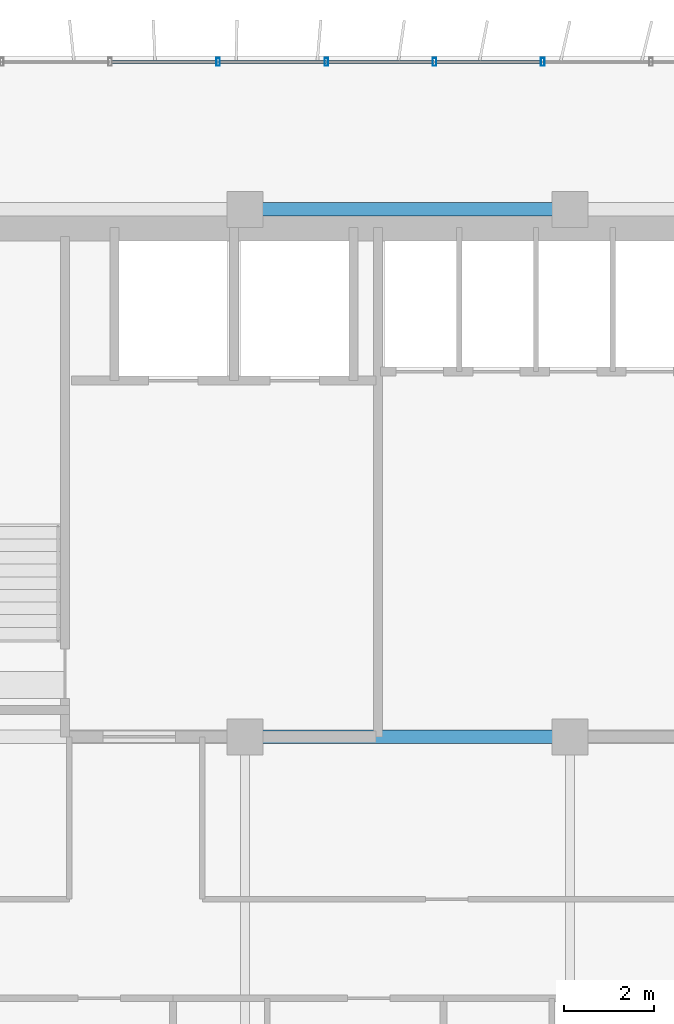
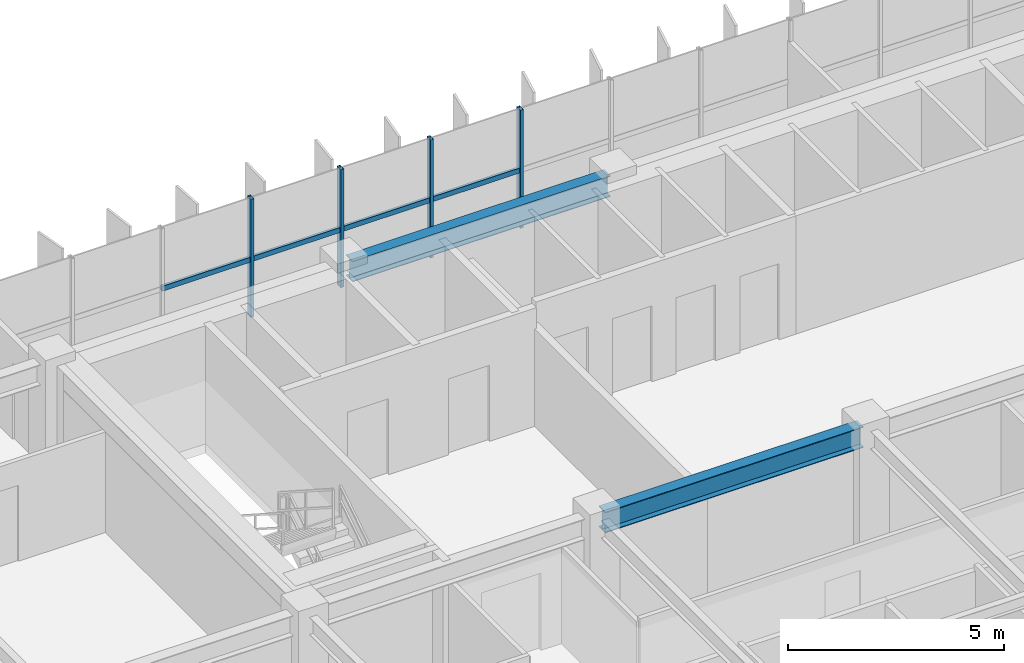
# One storey, part 6 of 22: 8 members, 2 beams, 1 element without a shape of its own.
"""IFC4 building model written with IfcOpenShell, lengths in metres."""

from ifc_helpers import new_model, si_unit, direction, frame, origin, origin_2d, place, context, subcontext, project, spatial, hollow_rectangle, i_section, extrude, source, transform, mapped, material, material_profile, profile_set, type_object, element, aggregate, save


model = new_model("IFC4")

# Units and contexts
model_context = context("Model", 3, precision=1e-05, world=origin(), true_north=direction((0.0, 1.0)))
body_context = subcontext(model_context, "Body", "Model", "MODEL_VIEW")
ifc_project = project(units=[si_unit("LENGTHUNIT", "METRE"), si_unit("AREAUNIT", "SQUARE_METRE"), si_unit("VOLUMEUNIT", "CUBIC_METRE"), si_unit("PLANEANGLEUNIT", "RADIAN"), si_unit("MASSUNIT", "GRAM", prefix="KILO")], contexts=[model_context])

# Site, building, storey
site_placement = place(None, origin())
site = spatial("IfcSite", under=ifc_project, at=site_placement, CompositionType="ELEMENT")
building_placement = place(site_placement, origin())
building = spatial("IfcBuilding", under=site, at=building_placement, Name="Trelvane Seafront Commons", CompositionType="ELEMENT")
storey_placement = place(building_placement, frame((0.0, 0.0, 114.10009765625)))
storey = spatial("IfcBuildingStorey", under=building, at=storey_placement, Name="L29", CompositionType="ELEMENT", Elevation=114.10009765625)

# Beams
ifc_material_1 = material(Name="Steel SM355 (S355)", Category="steel")
ifc_material_profile_1 = material_profile(ifc_material_1, i_section(OverallWidth=0.300048828125, OverallDepth=0.587890625, WebThickness=0.011962890625, FlangeThickness=0.02001953125, at=origin_2d()), Name="H-588x300x12x20")
ifc_profile_set_1 = profile_set([ifc_material_profile_1], Name="Steel SM355 (S355)")
beam_type = type_object("IfcBeamType", Name="STR-BM-H588", PredefinedType="BEAM", material=ifc_profile_set_1)
shared_shape_1 = source(origin(), body_context, "Body", "SweptSolid", [
    extrude(i_section(OverallWidth=0.300048828125, OverallDepth=0.587890625, WebThickness=0.011962890625, FlangeThickness=0.02001953125, at=origin_2d()), origin(), (0.0, 0.0, 1.0), 6.89990234375),
])
for number, where, z_axis, x_axis, name in (
    (1, (23.550048828125, 33.39990234375, 3.0458984375), (1.0, 0.0, 0.0), (0.0, 1.0, 0.0), "L29 Primary Girder G-22"),
    (2, (23.550048828125, 45.10009765625, 3.0458984375), (1.0, 0.0, 0.0), (0.0, 1.0, 0.0), "L29 Primary Girder G-31"),
):
    element("IfcBeam", number, at=place(storey_placement, frame(where, z_axis=z_axis, x_axis=x_axis)), inside=storey, type_object=beam_type, Name=name, PredefinedType="BEAM", context=body_context, shape_type="MappedRepresentation", body=[
        mapped(shared_shape_1, transform((0.0, 0.0, 0.0), x_axis=(1.0, 0.0, 0.0), y_axis=(0.0, 1.0, 0.0), z_axis=(0.0, 0.0, 1.0), scale=1.0)),
    ])

# Curtain wall, members
ifc_material_2 = material(Name="Anodised pale-silver aluminium", Category="aluminium")
curtain_wall_type = type_object("IfcCurtainWallType", Name="ARCH-CW4-SKYLOBBY", PredefinedType="NOTDEFINED", material=ifc_material_2)
curtain_wall_placement = place(storey_placement, origin())
curtain_wall = element("IfcCurtainWall", 3, at=curtain_wall_placement, inside=storey, type_object=curtain_wall_type, Name="CW-L29-0054", PredefinedType="NOTDEFINED")
ifc_material_profile_2 = material_profile(ifc_material_2, hollow_rectangle(XDim=0.074951171875, YDim=0.139892578125, WallThickness=0.00390625, at=origin_2d()), Name="TRAN-75x140x4")
ifc_profile_set_2 = profile_set([ifc_material_profile_2], Name="Anodised pale-silver aluminium")
member_type_1 = type_object("IfcMemberType", Name="ARCH-CW-TRAN-140", PredefinedType="USERDEFINED", material=ifc_profile_set_2)
shared_shape_2 = source(origin(), body_context, "Body", "SweptSolid", [
    extrude(hollow_rectangle(XDim=0.074951171875, YDim=0.139892578125, WallThickness=0.00390625, at=origin_2d()), origin(), (0.0, 0.0, 1.0), 2.3759765625),
])
member_1_placement = place(storey_placement, frame((20.412109375, 48.3701171875, 1.602783203125), z_axis=(1.0, 0.0, 0.0), x_axis=(0.0, 1.0, 0.0)))
member_1 = element("IfcMember", 4, at=member_1_placement, type_object=member_type_1, Name="CW-L29-0054-T02", ObjectType="TRANSOM", PredefinedType="USERDEFINED", context=body_context, shape_type="MappedRepresentation", body=[
    mapped(shared_shape_2, transform((0.0, 0.0, 0.0), x_axis=(1.0, 0.0, 0.0), y_axis=(0.0, 1.0, 0.0), z_axis=(0.0, 0.0, 1.0), scale=1.0)),
])
member_2_placement = place(storey_placement, frame((22.81201171875, 48.3701171875, 1.602783203125), z_axis=(1.0, 0.0, 0.0), x_axis=(0.0, 1.0, 0.0)))
member_2 = element("IfcMember", 5, at=member_2_placement, type_object=member_type_1, Name="CW-L29-0054-T03", ObjectType="TRANSOM", PredefinedType="USERDEFINED", context=body_context, shape_type="MappedRepresentation", body=[
    mapped(shared_shape_2, transform((0.0, 0.0, 0.0), x_axis=(1.0, 0.0, 0.0), y_axis=(0.0, 1.0, 0.0), z_axis=(0.0, 0.0, 1.0), scale=1.0)),
])
member_3_placement = place(storey_placement, frame((25.2119140625, 48.3701171875, 1.602783203125), z_axis=(1.0, 0.0, 0.0), x_axis=(0.0, 1.0, 0.0)))
member_3 = element("IfcMember", 6, at=member_3_placement, type_object=member_type_1, Name="CW-L29-0054-T04", ObjectType="TRANSOM", PredefinedType="USERDEFINED", context=body_context, shape_type="MappedRepresentation", body=[
    mapped(shared_shape_2, transform((0.0, 0.0, 0.0), x_axis=(1.0, 0.0, 0.0), y_axis=(0.0, 1.0, 0.0), z_axis=(0.0, 0.0, 1.0), scale=1.0)),
])
member_4_placement = place(storey_placement, frame((27.612060546875, 48.3701171875, 1.602783203125), z_axis=(1.0, 0.0, 0.0), x_axis=(0.0, 1.0, 0.0)))
member_4 = element("IfcMember", 7, at=member_4_placement, type_object=member_type_1, Name="CW-L29-0054-T05", ObjectType="TRANSOM", PredefinedType="USERDEFINED", context=body_context, shape_type="MappedRepresentation", body=[
    mapped(shared_shape_2, transform((0.0, 0.0, 0.0), x_axis=(1.0, 0.0, 0.0), y_axis=(0.0, 1.0, 0.0), z_axis=(0.0, 0.0, 1.0), scale=1.0)),
])
ifc_material_profile_3 = material_profile(ifc_material_2, hollow_rectangle(XDim=0.080078125, YDim=0.179931640625, WallThickness=0.00439453125, at=origin_2d()), Name="MULL-80x180x4.5")
ifc_profile_set_3 = profile_set([ifc_material_profile_3], Name="Anodised pale-silver aluminium")
member_type_2 = type_object("IfcMemberType", Name="ARCH-CW-MULL-180", PredefinedType="MULLION", material=ifc_profile_set_3)
shared_shape_3 = source(origin(), body_context, "Body", "SweptSolid", [
    extrude(hollow_rectangle(XDim=0.080078125, YDim=0.179931640625, WallThickness=0.00439453125, at=origin_2d()), origin(), (0.0, 0.0, 1.0), 3.33984375),
])
member_5_placement = place(storey_placement, frame((22.800048828125, 48.3701171875, 0.0), z_axis=(0.0, 0.0, 1.0), x_axis=(1.0, 0.0, 0.0)))
member_5 = element("IfcMember", 8, at=member_5_placement, type_object=member_type_2, Name="CW-L29-0054-M03", PredefinedType="MULLION", context=body_context, shape_type="MappedRepresentation", body=[
    mapped(shared_shape_3, transform((0.0, 0.0, 0.0), x_axis=(1.0, 0.0, 0.0), y_axis=(0.0, 1.0, 0.0), z_axis=(0.0, 0.0, 1.0), scale=1.0)),
])
member_6_placement = place(storey_placement, frame((25.199951171875, 48.3701171875, 0.0), z_axis=(0.0, 0.0, 1.0), x_axis=(1.0, 0.0, 0.0)))
member_6 = element("IfcMember", 9, at=member_6_placement, type_object=member_type_2, Name="CW-L29-0054-M04", PredefinedType="MULLION", context=body_context, shape_type="MappedRepresentation", body=[
    mapped(shared_shape_3, transform((0.0, 0.0, 0.0), x_axis=(1.0, 0.0, 0.0), y_axis=(0.0, 1.0, 0.0), z_axis=(0.0, 0.0, 1.0), scale=1.0)),
])
member_7_placement = place(storey_placement, frame((27.60009765625, 48.3701171875, 0.0), z_axis=(0.0, 0.0, 1.0), x_axis=(1.0, 0.0, 0.0)))
member_7 = element("IfcMember", 10, at=member_7_placement, type_object=member_type_2, Name="CW-L29-0054-M05", PredefinedType="MULLION", context=body_context, shape_type="MappedRepresentation", body=[
    mapped(shared_shape_3, transform((0.0, 0.0, 0.0), x_axis=(1.0, 0.0, 0.0), y_axis=(0.0, 1.0, 0.0), z_axis=(0.0, 0.0, 1.0), scale=1.0)),
])
member_8_placement = place(storey_placement, frame((30.0, 48.3701171875, 0.0), z_axis=(0.0, 0.0, 1.0), x_axis=(1.0, 0.0, 0.0)))
member_8 = element("IfcMember", 11, at=member_8_placement, type_object=member_type_2, Name="CW-L29-0054-M06", PredefinedType="MULLION", context=body_context, shape_type="MappedRepresentation", body=[
    mapped(shared_shape_3, transform((0.0, 0.0, 0.0), x_axis=(1.0, 0.0, 0.0), y_axis=(0.0, 1.0, 0.0), z_axis=(0.0, 0.0, 1.0), scale=1.0)),
])
aggregate(curtain_wall, [member_5, member_6, member_7, member_8, member_1, member_2, member_3, member_4])

save(model, "model.ifc")
